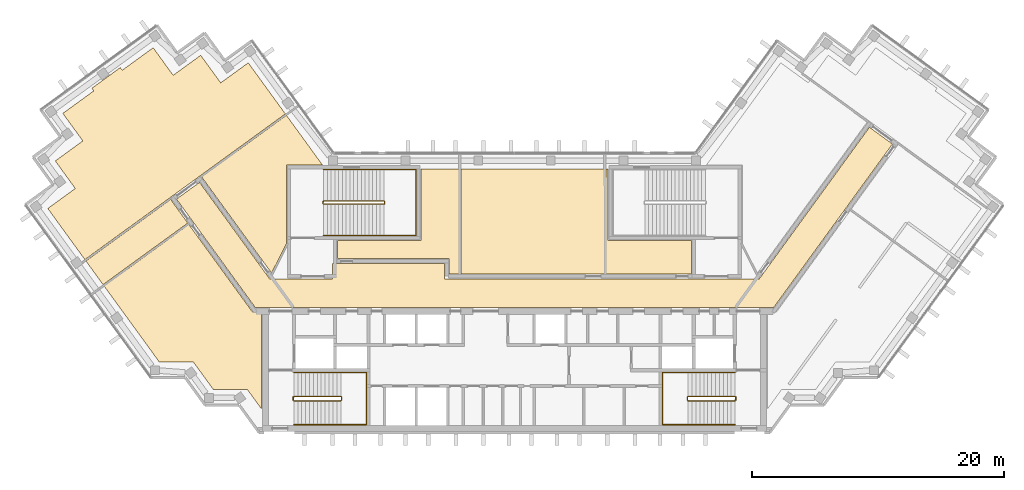
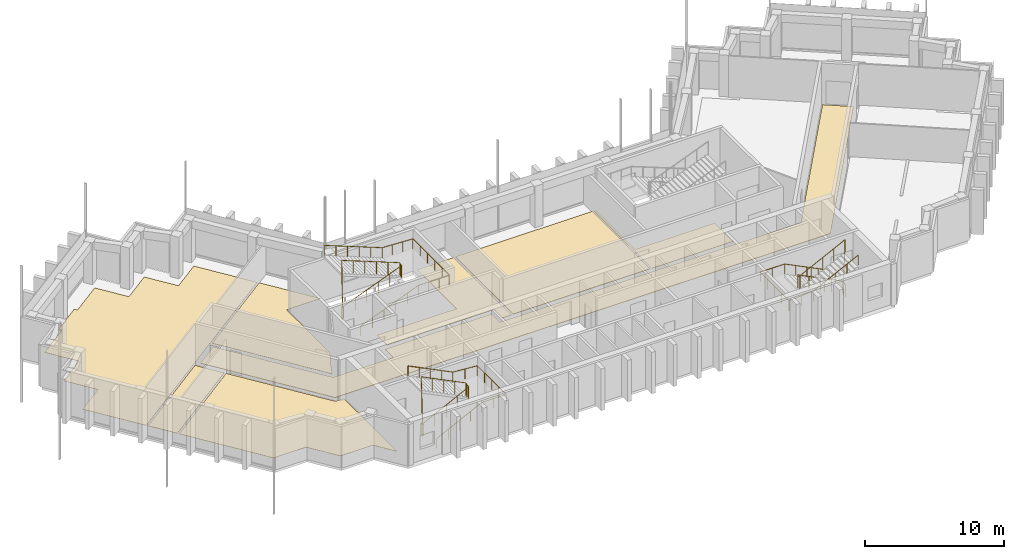
# One storey, part 13 of 14: 8 coverings, 6 railings.
"""IFC4 building model written with IfcOpenShell, lengths in metres."""

from ifc_helpers import new_model, si_unit, direction, frame, origin, origin_2d, place, context, subcontext, project, spatial, polyline, circle, outline, extrude, material, layer, layer_set, type_object, element, save


model = new_model("IFC4")

# Units and contexts
model_context = context("Model", 3, precision=1e-05, world=origin(), true_north=direction((0.0, 1.0)))
body_context = subcontext(model_context, "Body", "Model", "MODEL_VIEW")
ifc_project = project(units=[si_unit("LENGTHUNIT", "METRE"), si_unit("AREAUNIT", "SQUARE_METRE"), si_unit("VOLUMEUNIT", "CUBIC_METRE"), si_unit("PLANEANGLEUNIT", "RADIAN"), si_unit("MASSUNIT", "GRAM", prefix="KILO")], contexts=[model_context])

# Site, building, storey
site_placement = place(None, origin())
site = spatial("IfcSite", under=ifc_project, at=site_placement, CompositionType="ELEMENT")
building_placement = place(site_placement, origin())
building = spatial("IfcBuilding", under=site, at=building_placement, Name="Quipu Civic Tower", CompositionType="ELEMENT")
storey_placement = place(building_placement, frame((0.0, 0.0, 323.0)))
storey = spatial("IfcBuildingStorey", under=building, at=storey_placement, Name="L75", CompositionType="ELEMENT", Elevation=323.0)

# Coverings
ifc_material_1 = material(Name="Carpet tile on raised access floor")
ifc_layer_1 = layer(ifc_material_1, 0.02001953125)
ifc_layer_set_1 = layer_set([ifc_layer_1], Name="Carpet tile on raised access floor")
covering_type_1 = type_object("IfcCoveringType", Name="Carpet tile floor finish 20", PredefinedType="FLOORING", material=ifc_layer_set_1)
covering_1_placement = place(storey_placement, origin())
element("IfcCovering", 1, at=covering_1_placement, inside=storey, type_object=covering_type_1, Name="Carpet tile floor finish 20", PredefinedType="FLOORING", context=body_context, shape_type="SweptSolid", body=[
    extrude(outline(polyline([(-14.030029296875, 2.719970703125), (-14.030029296875, 4.179931640625), (-7.430908203125, 4.179931640625), (-7.429931640625, 9.830078125), (-4.388916015625, 9.830078125), (-4.388916015625, 1.52001953125), (-5.179931640625, 1.52001953125), (-5.181884765625, 2.719970703125), (-14.030029296875, 2.719970703125)])), origin(), (0.0, 0.0, 1.0), 0.02001953125),
])
covering_2_placement = place(storey_placement, origin())
element("IfcCovering", 2, at=covering_2_placement, inside=storey, type_object=covering_type_1, Name="Carpet tile floor finish 20", PredefinedType="FLOORING", context=body_context, shape_type="SweptSolid", body=[
    extrude(outline(polyline([(-24.81201171875, 9.2109375), (-18.089111328125, 14.093994140625), (-15.238037109375, 10.169921875), (-18.070068359375, 10.1689453125), (-18.070068359375, 3.94189453125), (-19.27197265625, 1.583984375), (-24.81201171875, 9.2109375)])), origin(), (0.0, 0.0, 1.0), 0.02001953125),
])
covering_3_placement = place(storey_placement, origin())
element("IfcCovering", 3, at=covering_3_placement, inside=storey, type_object=covering_type_1, Name="Carpet tile floor finish 20", PredefinedType="FLOORING", context=body_context, shape_type="SweptSolid", body=[
    extrude(outline(polyline([(-32.552001953125, 0.552978515625), (-25.8291015625, 5.43701171875), (-20.77490234375, -1.51904296875), (-20.070068359375, -1.52001953125), (-20.070068359375, -9.195068359375), (-21.196044921875, -7.64599609375), (-23.89501953125, -7.64599609375), (-25.48193359375, -5.4619140625), (-28.181884765625, -5.4609375), (-32.552001953125, 0.552978515625)])), origin(), (0.0, 0.0, 1.0), 0.02001953125),
])
covering_4_placement = place(storey_placement, origin())
element("IfcCovering", 4, at=covering_4_placement, inside=storey, type_object=covering_type_1, Name="Carpet tile floor finish 20", PredefinedType="FLOORING", context=body_context, shape_type="SweptSolid", body=[
    extrude(outline(polyline([(-37.02197265625, 6.7060546875), (-34.839111328125, 8.291015625), (-36.425048828125, 10.47607421875), (-34.240966796875, 12.06396484375), (-35.826904296875, 14.248046875), (-33.3701171875, 16.032958984375), (-33.52197265625, 16.2451171875), (-31.27099609375, 17.8798828125), (-31.116943359375, 17.6708984375), (-28.658935546875, 19.455078125), (-27.073974609375, 17.27197265625), (-24.887939453125, 18.85791015625), (-23.301025390625, 16.675048828125), (-21.116943359375, 18.260986328125), (-18.172119140625, 14.20703125), (-34.077880859375, 2.652099609375), (-37.02197265625, 6.7060546875)])), origin(), (0.0, 0.0, 1.0), 0.02001953125),
])
ifc_material_2 = material(Name="Ceramic floor tile")
ifc_layer_2 = layer(ifc_material_2, 0.030029296875)
ifc_layer_set_2 = layer_set([ifc_layer_2], Name="Ceramic floor tile")
covering_type_2 = type_object("IfcCoveringType", Name="Ceramic tile floor finish 30", PredefinedType="FLOORING", material=ifc_layer_set_2)
covering_5_placement = place(storey_placement, origin())
element("IfcCovering", 5, at=covering_5_placement, inside=storey, type_object=covering_type_2, Name="Ceramic tile floor finish 30", PredefinedType="FLOORING", context=body_context, shape_type="SweptSolid", body=[
    extrude(outline(polyline([(7.26806640625, 1.52001953125), (7.26806640625, 9.830078125), (7.429931640625, 9.830078125), (7.429931640625, 4.180908203125), (14.030029296875, 4.179931640625), (14.030029296875, 1.52001953125), (7.26806640625, 1.52001953125)])), origin(), (0.0, 0.0, 1.0), 0.030029296875),
])
covering_6_placement = place(storey_placement, origin())
element("IfcCovering", 6, at=covering_6_placement, inside=storey, type_object=covering_type_2, Name="Ceramic tile floor finish 30", PredefinedType="FLOORING", context=body_context, shape_type="SweptSolid", body=[
    extrude(outline(polyline([(-33.9951171875, 2.5390625), (-27.27197265625, 7.423095703125), (-25.912109375, 5.550048828125), (-32.635009765625, 0.666015625), (-33.9951171875, 2.5390625)])), origin(), (0.0, 0.0, 1.0), 0.030029296875),
])
ifc_material_3 = material(Name="Sealed cement screed")
ifc_layer_3 = layer(ifc_material_3, 0.050048828125)
ifc_layer_set_3 = layer_set([ifc_layer_3], Name="Sealed cement screed")
covering_type_3 = type_object("IfcCoveringType", Name="Sealed screed floor finish 50", PredefinedType="FLOORING", material=ifc_layer_set_3)
covering_7_placement = place(storey_placement, origin())
element("IfcCovering", 7, at=covering_7_placement, inside=storey, type_object=covering_type_3, Name="Sealed screed floor finish 50", PredefinedType="FLOORING", context=body_context, shape_type="SweptSolid", body=[
    extrude(outline(polyline([(-4.2490234375, 1.52001953125), (-4.2490234375, 9.830078125), (7.1279296875, 9.830078125), (7.1279296875, 1.52001953125), (-4.2490234375, 1.52001953125)])), origin(), (0.0, 0.0, 1.0), 0.050048828125),
])

# Railings
ifc_material_4 = material(Name="Stainless steel", Category="steel")
railing_type_1 = type_object("IfcRailingType", Name="Stair guard 1100", PredefinedType="GUARDRAIL", material=ifc_material_4)
railing_1_placement = place(storey_placement, frame((-17.5, -8.550048828125, 0.15380859375)))
element("IfcRailing", 8, at=railing_1_placement, inside=storey, type_object=railing_type_1, Name="Stair 1 guard", PredefinedType="GUARDRAIL", context=body_context, shape_type="SweptSolid", body=[
    extrude(circle(Radius=0.02392578125, at=origin_2d()), frame((0.0, 0.0, 1.076171875), z_axis=(0.895751851347, 0.0, 0.444554407028), x_axis=(0.0, 1.0, 0.0)), (0.0, 0.0, 1.0), 4.15283203125),
    extrude(circle(Radius=0.02392578125, at=origin_2d()), frame((3.719970703125, 0.0, 2.92236328125), z_axis=(0.707106781187, 0.707106781187, 0.0), x_axis=(-0.707106781187, 0.707106781187, 0.0)), (0.0, 0.0, 1.0), 0.07080078125),
    extrude(circle(Radius=0.02392578125, at=origin_2d()), frame((3.77001953125, 0.050048828125, 2.92236328125), z_axis=(0.0, 1.0, 0.0), x_axis=(-1.0, 0.0, 0.0)), (0.0, 0.0, 1.0), 0.25),
    extrude(circle(Radius=0.02392578125, at=origin_2d()), frame((3.77001953125, 0.300048828125, 2.92236328125), z_axis=(-0.295599637079, 0.295599637079, 0.908428152975), x_axis=(-0.707106781187, -0.707106781187, 0.0)), (0.0, 0.0, 1.0), 0.16943359375),
    extrude(circle(Radius=0.02392578125, at=origin_2d()), frame((3.719970703125, 0.35009765625, 3.076171875), z_axis=(-0.895751851347, 0.0, 0.444554407028), x_axis=(0.0, -1.0, 0.0)), (0.0, 0.0, 1.0), 4.15283203125),
    extrude(circle(Radius=0.02392578125, at=origin_2d()), frame((0.0, 0.35009765625, 4.92236328125), z_axis=(-0.012476181752, -0.074796231092, -0.997120789425), x_axis=(0.986372223864, -0.164529134168, 0.0)), (0.0, 0.0, 1.0), 4.011474609375),
    extrude(circle(Radius=0.02392578125, at=origin_2d()), frame((-0.050048828125, 0.050048828125, 0.92236328125), z_axis=(0.0, 1.0, 0.0), x_axis=(-1.0, 0.0, 0.0)), (0.0, 0.0, 1.0), 0.25),
    extrude(circle(Radius=0.02099609375, at=origin_2d()), origin(), (0.0, 0.0, 1.0), 1.052001953125),
    extrude(circle(Radius=0.02099609375, at=origin_2d()), frame((0.929931640625, 0.0, 0.46142578125)), (0.0, 0.0, 1.0), 1.052001953125),
    extrude(circle(Radius=0.02099609375, at=origin_2d()), frame((1.85986328125, 0.0, 0.923095703125)), (0.0, 0.0, 1.0), 1.052001953125),
    extrude(circle(Radius=0.02099609375, at=origin_2d()), frame((2.7900390625, 0.0, 1.384765625)), (0.0, 0.0, 1.0), 1.052001953125),
    extrude(circle(Radius=0.02099609375, at=origin_2d()), frame((3.719970703125, 0.0, 1.84619140625)), (0.0, 0.0, 1.0), 1.052001953125),
    extrude(circle(Radius=0.02099609375, at=origin_2d()), frame((3.77001953125, 0.050048828125, 1.84619140625)), (0.0, 0.0, 1.0), 1.052001953125),
    extrude(circle(Radius=0.02099609375, at=origin_2d()), frame((3.77001953125, 0.300048828125, 1.84619140625)), (0.0, 0.0, 1.0), 1.052001953125),
    extrude(circle(Radius=0.02099609375, at=origin_2d()), frame((3.719970703125, 0.35009765625, 2.0)), (0.0, 0.0, 1.0), 1.052001953125),
    extrude(circle(Radius=0.02099609375, at=origin_2d()), frame((2.7900390625, 0.35009765625, 2.46142578125)), (0.0, 0.0, 1.0), 1.052001953125),
    extrude(circle(Radius=0.02099609375, at=origin_2d()), frame((1.85986328125, 0.35009765625, 2.923095703125)), (0.0, 0.0, 1.0), 1.052001953125),
    extrude(circle(Radius=0.02099609375, at=origin_2d()), frame((0.929931640625, 0.35009765625, 3.384765625)), (0.0, 0.0, 1.0), 1.052001953125),
    extrude(circle(Radius=0.02099609375, at=origin_2d()), frame((0.0, 0.35009765625, 3.84619140625)), (0.0, 0.0, 1.0), 1.052001953125),
    extrude(circle(Radius=0.02099609375, at=origin_2d()), frame((-0.012451171875, 0.275146484375, 2.84619140625)), (0.0, 0.0, 1.0), 1.052001953125),
    extrude(circle(Radius=0.02099609375, at=origin_2d()), frame((-0.02490234375, 0.2001953125, 1.84619140625)), (0.0, 0.0, 1.0), 1.052001953125),
    extrude(circle(Radius=0.02099609375, at=origin_2d()), frame((-0.03759765625, 0.125, 0.84619140625)), (0.0, 0.0, 1.0), 1.052001953125),
    extrude(circle(Radius=0.02099609375, at=origin_2d()), frame((-0.050048828125, 0.050048828125, -0.15380859375)), (0.0, 0.0, 1.0), 1.052001953125),
    extrude(circle(Radius=0.02099609375, at=origin_2d()), frame((-0.050048828125, 0.300048828125, -0.15380859375)), (0.0, 0.0, 1.0), 1.052001953125),
])
railing_2_placement = place(storey_placement, frame((17.5, -8.199951171875, 0.15380859375)))
element("IfcRailing", 9, at=railing_2_placement, inside=storey, type_object=railing_type_1, Name="Stair 2 guard", PredefinedType="GUARDRAIL", context=body_context, shape_type="SweptSolid", body=[
    extrude(circle(Radius=0.02392578125, at=origin_2d()), frame((0.0, 0.0, 1.076171875), z_axis=(-0.895751851347, 0.0, 0.444554407028), x_axis=(0.0, -1.0, 0.0)), (0.0, 0.0, 1.0), 4.15283203125),
    extrude(circle(Radius=0.02392578125, at=origin_2d()), frame((-3.719970703125, 0.0, 2.92236328125), z_axis=(-0.707106781187, -0.707106781187, 0.0), x_axis=(0.707106781187, -0.707106781187, 0.0)), (0.0, 0.0, 1.0), 0.07080078125),
    extrude(circle(Radius=0.02392578125, at=origin_2d()), frame((-3.77001953125, -0.050048828125, 2.92236328125), z_axis=(0.0, -1.0, 0.0), x_axis=(1.0, 0.0, 0.0)), (0.0, 0.0, 1.0), 0.25),
    extrude(circle(Radius=0.02392578125, at=origin_2d()), frame((-3.77001953125, -0.300048828125, 2.92236328125), z_axis=(0.295599637079, -0.295599637079, 0.908428152975), x_axis=(0.707106781187, 0.707106781187, 0.0)), (0.0, 0.0, 1.0), 0.16943359375),
    extrude(circle(Radius=0.02392578125, at=origin_2d()), frame((-3.719970703125, -0.35009765625, 3.076171875), z_axis=(0.895751851347, 0.0, 0.444554407028), x_axis=(0.0, 1.0, 0.0)), (0.0, 0.0, 1.0), 4.15283203125),
    extrude(circle(Radius=0.02392578125, at=origin_2d()), frame((0.0, -0.35009765625, 4.92236328125), z_axis=(0.012476181752, 0.074796231092, -0.997120789425), x_axis=(-0.986372223864, 0.164529134168, 0.0)), (0.0, 0.0, 1.0), 4.011474609375),
    extrude(circle(Radius=0.02392578125, at=origin_2d()), frame((0.050048828125, -0.050048828125, 0.92236328125), z_axis=(0.0, -1.0, 0.0), x_axis=(1.0, 0.0, 0.0)), (0.0, 0.0, 1.0), 0.25),
    extrude(circle(Radius=0.02099609375, at=origin_2d()), origin(), (0.0, 0.0, 1.0), 1.052001953125),
    extrude(circle(Radius=0.02099609375, at=origin_2d()), frame((-0.929931640625, 0.0, 0.46142578125)), (0.0, 0.0, 1.0), 1.052001953125),
    extrude(circle(Radius=0.02099609375, at=origin_2d()), frame((-1.85986328125, 0.0, 0.923095703125)), (0.0, 0.0, 1.0), 1.052001953125),
    extrude(circle(Radius=0.02099609375, at=origin_2d()), frame((-2.7900390625, 0.0, 1.384765625)), (0.0, 0.0, 1.0), 1.052001953125),
    extrude(circle(Radius=0.02099609375, at=origin_2d()), frame((-3.719970703125, 0.0, 1.84619140625)), (0.0, 0.0, 1.0), 1.052001953125),
    extrude(circle(Radius=0.02099609375, at=origin_2d()), frame((-3.77001953125, -0.050048828125, 1.84619140625)), (0.0, 0.0, 1.0), 1.052001953125),
    extrude(circle(Radius=0.02099609375, at=origin_2d()), frame((-3.77001953125, -0.300048828125, 1.84619140625)), (0.0, 0.0, 1.0), 1.052001953125),
    extrude(circle(Radius=0.02099609375, at=origin_2d()), frame((-3.719970703125, -0.35009765625, 2.0)), (0.0, 0.0, 1.0), 1.052001953125),
    extrude(circle(Radius=0.02099609375, at=origin_2d()), frame((-2.7900390625, -0.35009765625, 2.46142578125)), (0.0, 0.0, 1.0), 1.052001953125),
    extrude(circle(Radius=0.02099609375, at=origin_2d()), frame((-1.85986328125, -0.35009765625, 2.923095703125)), (0.0, 0.0, 1.0), 1.052001953125),
    extrude(circle(Radius=0.02099609375, at=origin_2d()), frame((-0.929931640625, -0.35009765625, 3.384765625)), (0.0, 0.0, 1.0), 1.052001953125),
    extrude(circle(Radius=0.02099609375, at=origin_2d()), frame((0.0, -0.35009765625, 3.84619140625)), (0.0, 0.0, 1.0), 1.052001953125),
    extrude(circle(Radius=0.02099609375, at=origin_2d()), frame((0.012451171875, -0.275146484375, 2.84619140625)), (0.0, 0.0, 1.0), 1.052001953125),
    extrude(circle(Radius=0.02099609375, at=origin_2d()), frame((0.02490234375, -0.2001953125, 1.84619140625)), (0.0, 0.0, 1.0), 1.052001953125),
    extrude(circle(Radius=0.02099609375, at=origin_2d()), frame((0.03759765625, -0.125, 0.84619140625)), (0.0, 0.0, 1.0), 1.052001953125),
    extrude(circle(Radius=0.02099609375, at=origin_2d()), frame((0.050048828125, -0.050048828125, -0.15380859375)), (0.0, 0.0, 1.0), 1.052001953125),
    extrude(circle(Radius=0.02099609375, at=origin_2d()), frame((0.050048828125, -0.300048828125, -0.15380859375)), (0.0, 0.0, 1.0), 1.052001953125),
])
railing_3_placement = place(storey_placement, frame((-15.14990234375, 7.050048828125, 0.11767578125)))
element("IfcRailing", 10, at=railing_3_placement, inside=storey, type_object=railing_type_1, Name="Stair 3 guard", PredefinedType="GUARDRAIL", context=body_context, shape_type="SweptSolid", body=[
    extrude(circle(Radius=0.02392578125, at=origin_2d()), frame((0.0, 0.0, 1.076171875), z_axis=(0.930970042603, 0.0, 0.365095576219), x_axis=(0.0, 1.0, 0.0)), (0.0, 0.0, 1.0), 5.15576171875),
    extrude(circle(Radius=0.02392578125, at=origin_2d()), frame((4.7998046875, 0.0, 2.95849609375), z_axis=(0.707106781187, 0.707106781187, 0.0), x_axis=(-0.707106781187, 0.707106781187, 0.0)), (0.0, 0.0, 1.0), 0.07080078125),
    extrude(circle(Radius=0.02392578125, at=origin_2d()), frame((4.849853515625, 0.050048828125, 2.95849609375), z_axis=(0.0, 1.0, 0.0), x_axis=(-1.0, 0.0, 0.0)), (0.0, 0.0, 1.0), 0.14990234375),
    extrude(circle(Radius=0.02392578125, at=origin_2d()), frame((4.849853515625, 0.199951171875, 2.95849609375), z_axis=(-0.364463019033, 0.364463019033, 0.856932561824), x_axis=(-0.707106781187, -0.707106781187, 0.0)), (0.0, 0.0, 1.0), 0.13720703125),
    extrude(circle(Radius=0.02392578125, at=origin_2d()), frame((4.7998046875, 0.25, 3.076171875), z_axis=(-0.930970042603, 0.0, 0.365095576219), x_axis=(0.0, -1.0, 0.0)), (0.0, 0.0, 1.0), 5.15576171875),
    extrude(circle(Radius=0.02392578125, at=origin_2d()), frame((0.0, 0.25, 4.95849609375), z_axis=(-0.012495627992, -0.049921557685, -0.998674970829), x_axis=(0.970072785993, -0.242814311512, 0.0)), (0.0, 0.0, 1.0), 4.00537109375),
    extrude(circle(Radius=0.02392578125, at=origin_2d()), frame((-0.050048828125, 0.050048828125, 0.95849609375), z_axis=(0.0, 1.0, 0.0), x_axis=(-1.0, 0.0, 0.0)), (0.0, 0.0, 1.0), 0.14990234375),
    extrude(circle(Radius=0.02099609375, at=origin_2d()), origin(), (0.0, 0.0, 1.0), 1.052001953125),
    extrude(circle(Radius=0.02099609375, at=origin_2d()), frame((0.9599609375, 0.0, 0.37646484375)), (0.0, 0.0, 1.0), 1.052001953125),
    extrude(circle(Radius=0.02099609375, at=origin_2d()), frame((1.919921875, 0.0, 0.7529296875)), (0.0, 0.0, 1.0), 1.052001953125),
    extrude(circle(Radius=0.02099609375, at=origin_2d()), frame((2.8798828125, 0.0, 1.12939453125)), (0.0, 0.0, 1.0), 1.052001953125),
    extrude(circle(Radius=0.02099609375, at=origin_2d()), frame((3.83984375, 0.0, 1.505859375)), (0.0, 0.0, 1.0), 1.052001953125),
    extrude(circle(Radius=0.02099609375, at=origin_2d()), frame((4.7998046875, 0.0, 1.88232421875)), (0.0, 0.0, 1.0), 1.052001953125),
    extrude(circle(Radius=0.02099609375, at=origin_2d()), frame((4.849853515625, 0.050048828125, 1.88232421875)), (0.0, 0.0, 1.0), 1.052001953125),
    extrude(circle(Radius=0.02099609375, at=origin_2d()), frame((4.849853515625, 0.199951171875, 1.88232421875)), (0.0, 0.0, 1.0), 1.052001953125),
    extrude(circle(Radius=0.02099609375, at=origin_2d()), frame((4.7998046875, 0.25, 2.0)), (0.0, 0.0, 1.0), 1.052001953125),
    extrude(circle(Radius=0.02099609375, at=origin_2d()), frame((3.83984375, 0.25, 2.37646484375)), (0.0, 0.0, 1.0), 1.052001953125),
    extrude(circle(Radius=0.02099609375, at=origin_2d()), frame((2.8798828125, 0.25, 2.7529296875)), (0.0, 0.0, 1.0), 1.052001953125),
    extrude(circle(Radius=0.02099609375, at=origin_2d()), frame((1.919921875, 0.25, 3.12939453125)), (0.0, 0.0, 1.0), 1.052001953125),
    extrude(circle(Radius=0.02099609375, at=origin_2d()), frame((0.9599609375, 0.25, 3.505859375)), (0.0, 0.0, 1.0), 1.052001953125),
    extrude(circle(Radius=0.02099609375, at=origin_2d()), frame((0.0, 0.25, 3.88232421875)), (0.0, 0.0, 1.0), 1.052001953125),
    extrude(circle(Radius=0.02099609375, at=origin_2d()), frame((-0.012451171875, 0.199951171875, 2.88232421875)), (0.0, 0.0, 1.0), 1.052001953125),
    extrude(circle(Radius=0.02099609375, at=origin_2d()), frame((-0.02490234375, 0.14990234375, 1.88232421875)), (0.0, 0.0, 1.0), 1.052001953125),
    extrude(circle(Radius=0.02099609375, at=origin_2d()), frame((-0.03759765625, 0.10009765625, 0.88232421875)), (0.0, 0.0, 1.0), 1.052001953125),
    extrude(circle(Radius=0.02099609375, at=origin_2d()), frame((-0.050048828125, 0.050048828125, -0.11767578125)), (0.0, 0.0, 1.0), 1.052001953125),
    extrude(circle(Radius=0.02099609375, at=origin_2d()), frame((-0.050048828125, 0.199951171875, -0.11767578125)), (0.0, 0.0, 1.0), 1.052001953125),
])
ifc_material_5 = material(Name="Stainless steel", Category="steel")
railing_type_2 = type_object("IfcRailingType", Name="Stair handrail", PredefinedType="HANDRAIL", material=ifc_material_5)
railing_4_placement = place(storey_placement, frame((-17.5, -10.449951171875, 0.15380859375)))
element("IfcRailing", 11, at=railing_4_placement, inside=storey, type_object=railing_type_2, Name="Stair 1 handrail", PredefinedType="HANDRAIL", context=body_context, shape_type="SweptSolid", body=[
    extrude(circle(Radius=0.02392578125, at=origin_2d()), frame((0.0, 0.0, 0.8759765625), z_axis=(0.895751851347, 0.0, 0.444554407028), x_axis=(0.0, 1.0, 0.0)), (0.0, 0.0, 1.0), 4.15283203125),
    extrude(circle(Radius=0.02392578125, at=origin_2d()), frame((3.719970703125, 0.0, 2.72216796875), z_axis=(1.0, 0.0, 0.0), x_axis=(0.0, 1.0, 0.0)), (0.0, 0.0, 1.0), 2.030029296875),
    extrude(circle(Radius=0.02392578125, at=origin_2d()), frame((5.75, 0.0, 2.72216796875), z_axis=(0.0, 1.0, 0.0), x_axis=(-1.0, 0.0, 0.0)), (0.0, 0.0, 1.0), 4.14990234375),
    extrude(circle(Radius=0.02392578125, at=origin_2d()), frame((5.75, 4.14990234375, 2.72216796875), z_axis=(-0.997142003663, 0.0, 0.075550145798), x_axis=(0.0, -1.0, 0.0)), (0.0, 0.0, 1.0), 2.035888671875),
    extrude(circle(Radius=0.02392578125, at=origin_2d()), frame((3.719970703125, 4.14990234375, 2.8759765625), z_axis=(-0.895751851347, 0.0, 0.444554407028), x_axis=(0.0, -1.0, 0.0)), (0.0, 0.0, 1.0), 4.15283203125),
    extrude(circle(Radius=0.02099609375, at=origin_2d()), origin(), (0.0, 0.0, 1.0), 0.851806640625),
    extrude(circle(Radius=0.02099609375, at=origin_2d()), frame((0.929931640625, 0.0, 0.46142578125)), (0.0, 0.0, 1.0), 0.851806640625),
    extrude(circle(Radius=0.02099609375, at=origin_2d()), frame((1.85986328125, 0.0, 0.923095703125)), (0.0, 0.0, 1.0), 0.851806640625),
    extrude(circle(Radius=0.02099609375, at=origin_2d()), frame((2.7900390625, 0.0, 1.384765625)), (0.0, 0.0, 1.0), 0.851806640625),
    extrude(circle(Radius=0.02099609375, at=origin_2d()), frame((3.719970703125, 0.0, 1.84619140625)), (0.0, 0.0, 1.0), 0.851806640625),
    extrude(circle(Radius=0.02099609375, at=origin_2d()), frame((4.73486328125, 0.0, 1.84619140625)), (0.0, 0.0, 1.0), 0.851806640625),
    extrude(circle(Radius=0.02099609375, at=origin_2d()), frame((5.75, 0.0, 1.84619140625)), (0.0, 0.0, 1.0), 0.851806640625),
    extrude(circle(Radius=0.02099609375, at=origin_2d()), frame((5.75, 1.03759765625, 1.84619140625)), (0.0, 0.0, 1.0), 0.851806640625),
    extrude(circle(Radius=0.02099609375, at=origin_2d()), frame((5.75, 2.074951171875, 1.84619140625)), (0.0, 0.0, 1.0), 0.851806640625),
    extrude(circle(Radius=0.02099609375, at=origin_2d()), frame((5.75, 3.1123046875, 1.84619140625)), (0.0, 0.0, 1.0), 0.851806640625),
    extrude(circle(Radius=0.02099609375, at=origin_2d()), frame((5.75, 4.14990234375, 1.84619140625)), (0.0, 0.0, 1.0), 0.851806640625),
    extrude(circle(Radius=0.02099609375, at=origin_2d()), frame((4.73486328125, 4.14990234375, 1.923095703125)), (0.0, 0.0, 1.0), 0.851806640625),
    extrude(circle(Radius=0.02099609375, at=origin_2d()), frame((3.719970703125, 4.14990234375, 2.0)), (0.0, 0.0, 1.0), 0.851806640625),
    extrude(circle(Radius=0.02099609375, at=origin_2d()), frame((2.7900390625, 4.14990234375, 2.46142578125)), (0.0, 0.0, 1.0), 0.851806640625),
    extrude(circle(Radius=0.02099609375, at=origin_2d()), frame((1.85986328125, 4.14990234375, 2.923095703125)), (0.0, 0.0, 1.0), 0.851806640625),
    extrude(circle(Radius=0.02099609375, at=origin_2d()), frame((0.929931640625, 4.14990234375, 3.384765625)), (0.0, 0.0, 1.0), 0.851806640625),
    extrude(circle(Radius=0.02099609375, at=origin_2d()), frame((0.0, 4.14990234375, 3.84619140625)), (0.0, 0.0, 1.0), 0.851806640625),
])
railing_5_placement = place(storey_placement, frame((17.5, -6.300048828125, 0.15380859375)))
element("IfcRailing", 12, at=railing_5_placement, inside=storey, type_object=railing_type_2, Name="Stair 2 handrail", PredefinedType="HANDRAIL", context=body_context, shape_type="SweptSolid", body=[
    extrude(circle(Radius=0.02392578125, at=origin_2d()), frame((0.0, 0.0, 0.8759765625), z_axis=(-0.895751851347, 0.0, 0.444554407028), x_axis=(0.0, -1.0, 0.0)), (0.0, 0.0, 1.0), 4.15283203125),
    extrude(circle(Radius=0.02392578125, at=origin_2d()), frame((-3.719970703125, 0.0, 2.72216796875), z_axis=(-1.0, 0.0, 0.0), x_axis=(0.0, -1.0, 0.0)), (0.0, 0.0, 1.0), 2.030029296875),
    extrude(circle(Radius=0.02392578125, at=origin_2d()), frame((-5.75, 0.0, 2.72216796875), z_axis=(0.0, -1.0, 0.0), x_axis=(1.0, 0.0, 0.0)), (0.0, 0.0, 1.0), 4.14990234375),
    extrude(circle(Radius=0.02392578125, at=origin_2d()), frame((-5.75, -4.14990234375, 2.72216796875), z_axis=(0.997142003663, 0.0, 0.075550145798), x_axis=(0.0, 1.0, 0.0)), (0.0, 0.0, 1.0), 2.035888671875),
    extrude(circle(Radius=0.02392578125, at=origin_2d()), frame((-3.719970703125, -4.14990234375, 2.8759765625), z_axis=(0.895751851347, 0.0, 0.444554407028), x_axis=(0.0, 1.0, 0.0)), (0.0, 0.0, 1.0), 4.15283203125),
    extrude(circle(Radius=0.02099609375, at=origin_2d()), origin(), (0.0, 0.0, 1.0), 0.851806640625),
    extrude(circle(Radius=0.02099609375, at=origin_2d()), frame((-0.929931640625, 0.0, 0.46142578125)), (0.0, 0.0, 1.0), 0.851806640625),
    extrude(circle(Radius=0.02099609375, at=origin_2d()), frame((-1.85986328125, 0.0, 0.923095703125)), (0.0, 0.0, 1.0), 0.851806640625),
    extrude(circle(Radius=0.02099609375, at=origin_2d()), frame((-2.7900390625, 0.0, 1.384765625)), (0.0, 0.0, 1.0), 0.851806640625),
    extrude(circle(Radius=0.02099609375, at=origin_2d()), frame((-3.719970703125, 0.0, 1.84619140625)), (0.0, 0.0, 1.0), 0.851806640625),
    extrude(circle(Radius=0.02099609375, at=origin_2d()), frame((-4.73486328125, 0.0, 1.84619140625)), (0.0, 0.0, 1.0), 0.851806640625),
    extrude(circle(Radius=0.02099609375, at=origin_2d()), frame((-5.75, 0.0, 1.84619140625)), (0.0, 0.0, 1.0), 0.851806640625),
    extrude(circle(Radius=0.02099609375, at=origin_2d()), frame((-5.75, -1.03759765625, 1.84619140625)), (0.0, 0.0, 1.0), 0.851806640625),
    extrude(circle(Radius=0.02099609375, at=origin_2d()), frame((-5.75, -2.074951171875, 1.84619140625)), (0.0, 0.0, 1.0), 0.851806640625),
    extrude(circle(Radius=0.02099609375, at=origin_2d()), frame((-5.75, -3.1123046875, 1.84619140625)), (0.0, 0.0, 1.0), 0.851806640625),
    extrude(circle(Radius=0.02099609375, at=origin_2d()), frame((-5.75, -4.14990234375, 1.84619140625)), (0.0, 0.0, 1.0), 0.851806640625),
    extrude(circle(Radius=0.02099609375, at=origin_2d()), frame((-4.73486328125, -4.14990234375, 1.923095703125)), (0.0, 0.0, 1.0), 0.851806640625),
    extrude(circle(Radius=0.02099609375, at=origin_2d()), frame((-3.719970703125, -4.14990234375, 2.0)), (0.0, 0.0, 1.0), 0.851806640625),
    extrude(circle(Radius=0.02099609375, at=origin_2d()), frame((-2.7900390625, -4.14990234375, 2.46142578125)), (0.0, 0.0, 1.0), 0.851806640625),
    extrude(circle(Radius=0.02099609375, at=origin_2d()), frame((-1.85986328125, -4.14990234375, 2.923095703125)), (0.0, 0.0, 1.0), 0.851806640625),
    extrude(circle(Radius=0.02099609375, at=origin_2d()), frame((-0.929931640625, -4.14990234375, 3.384765625)), (0.0, 0.0, 1.0), 0.851806640625),
    extrude(circle(Radius=0.02099609375, at=origin_2d()), frame((0.0, -4.14990234375, 3.84619140625)), (0.0, 0.0, 1.0), 0.851806640625),
])
railing_6_placement = place(storey_placement, frame((-15.14990234375, 4.550048828125, 0.11767578125)))
element("IfcRailing", 13, at=railing_6_placement, inside=storey, type_object=railing_type_2, Name="Stair 3 handrail", PredefinedType="HANDRAIL", context=body_context, shape_type="SweptSolid", body=[
    extrude(circle(Radius=0.02392578125, at=origin_2d()), frame((0.0, 0.0, 0.8759765625), z_axis=(0.930970042603, 0.0, 0.365095576219), x_axis=(0.0, 1.0, 0.0)), (0.0, 0.0, 1.0), 5.15576171875),
    extrude(circle(Radius=0.02392578125, at=origin_2d()), frame((4.7998046875, 0.0, 2.75830078125), z_axis=(1.0, 0.0, 0.0), x_axis=(0.0, 1.0, 0.0)), (0.0, 0.0, 1.0), 2.550048828125),
    extrude(circle(Radius=0.02392578125, at=origin_2d()), frame((7.349853515625, 0.0, 2.75830078125), z_axis=(0.0, 1.0, 0.0), x_axis=(-1.0, 0.0, 0.0)), (0.0, 0.0, 1.0), 5.25),
    extrude(circle(Radius=0.02392578125, at=origin_2d()), frame((7.349853515625, 5.25, 2.75830078125), z_axis=(-0.998936948642, 0.0, 0.04609742549), x_axis=(0.0, -1.0, 0.0)), (0.0, 0.0, 1.0), 2.552734375),
    extrude(circle(Radius=0.02392578125, at=origin_2d()), frame((4.7998046875, 5.25, 2.8759765625), z_axis=(-0.930970042603, 0.0, 0.365095576219), x_axis=(0.0, -1.0, 0.0)), (0.0, 0.0, 1.0), 5.15576171875),
    extrude(circle(Radius=0.02099609375, at=origin_2d()), origin(), (0.0, 0.0, 1.0), 0.851806640625),
    extrude(circle(Radius=0.02099609375, at=origin_2d()), frame((0.9599609375, 0.0, 0.37646484375)), (0.0, 0.0, 1.0), 0.851806640625),
    extrude(circle(Radius=0.02099609375, at=origin_2d()), frame((1.919921875, 0.0, 0.7529296875)), (0.0, 0.0, 1.0), 0.851806640625),
    extrude(circle(Radius=0.02099609375, at=origin_2d()), frame((2.8798828125, 0.0, 1.12939453125)), (0.0, 0.0, 1.0), 0.851806640625),
    extrude(circle(Radius=0.02099609375, at=origin_2d()), frame((3.83984375, 0.0, 1.505859375)), (0.0, 0.0, 1.0), 0.851806640625),
    extrude(circle(Radius=0.02099609375, at=origin_2d()), frame((4.7998046875, 0.0, 1.88232421875)), (0.0, 0.0, 1.0), 0.851806640625),
    extrude(circle(Radius=0.02099609375, at=origin_2d()), frame((5.64990234375, 0.0, 1.88232421875)), (0.0, 0.0, 1.0), 0.851806640625),
    extrude(circle(Radius=0.02099609375, at=origin_2d()), frame((6.499755859375, 0.0, 1.88232421875)), (0.0, 0.0, 1.0), 0.851806640625),
    extrude(circle(Radius=0.02099609375, at=origin_2d()), frame((7.349853515625, 0.0, 1.88232421875)), (0.0, 0.0, 1.0), 0.851806640625),
    extrude(circle(Radius=0.02099609375, at=origin_2d()), frame((7.349853515625, 1.050048828125, 1.88232421875)), (0.0, 0.0, 1.0), 0.851806640625),
    extrude(circle(Radius=0.02099609375, at=origin_2d()), frame((7.349853515625, 2.10009765625, 1.88232421875)), (0.0, 0.0, 1.0), 0.851806640625),
    extrude(circle(Radius=0.02099609375, at=origin_2d()), frame((7.349853515625, 3.14990234375, 1.88232421875)), (0.0, 0.0, 1.0), 0.851806640625),
    extrude(circle(Radius=0.02099609375, at=origin_2d()), frame((7.349853515625, 4.199951171875, 1.88232421875)), (0.0, 0.0, 1.0), 0.851806640625),
    extrude(circle(Radius=0.02099609375, at=origin_2d()), frame((7.349853515625, 5.25, 1.88232421875)), (0.0, 0.0, 1.0), 0.851806640625),
    extrude(circle(Radius=0.02099609375, at=origin_2d()), frame((6.499755859375, 5.25, 1.921630859375)), (0.0, 0.0, 1.0), 0.851806640625),
    extrude(circle(Radius=0.02099609375, at=origin_2d()), frame((5.64990234375, 5.25, 1.960693359375)), (0.0, 0.0, 1.0), 0.851806640625),
    extrude(circle(Radius=0.02099609375, at=origin_2d()), frame((4.7998046875, 5.25, 2.0)), (0.0, 0.0, 1.0), 0.851806640625),
    extrude(circle(Radius=0.02099609375, at=origin_2d()), frame((3.83984375, 5.25, 2.37646484375)), (0.0, 0.0, 1.0), 0.851806640625),
    extrude(circle(Radius=0.02099609375, at=origin_2d()), frame((2.8798828125, 5.25, 2.7529296875)), (0.0, 0.0, 1.0), 0.851806640625),
    extrude(circle(Radius=0.02099609375, at=origin_2d()), frame((1.919921875, 5.25, 3.12939453125)), (0.0, 0.0, 1.0), 0.851806640625),
    extrude(circle(Radius=0.02099609375, at=origin_2d()), frame((0.9599609375, 5.25, 3.505859375)), (0.0, 0.0, 1.0), 0.851806640625),
    extrude(circle(Radius=0.02099609375, at=origin_2d()), frame((0.0, 5.25, 3.88232421875)), (0.0, 0.0, 1.0), 0.851806640625),
])

# Covering
ifc_material_6 = material(Name="Terrazzo floor finish")
ifc_layer_4 = layer(ifc_material_6, 0.0400390625)
ifc_layer_set_4 = layer_set([ifc_layer_4], Name="Terrazzo floor finish")
covering_type_4 = type_object("IfcCoveringType", Name="Terrazzo floor finish 40", PredefinedType="FLOORING", material=ifc_layer_set_4)
covering_8_placement = place(storey_placement, origin())
element("IfcCovering", 14, at=covering_8_placement, inside=storey, type_object=covering_type_4, Name="Terrazzo floor finish 40", PredefinedType="FLOORING", context=body_context, shape_type="SweptSolid", body=[
    extrude(outline(polyline([(19.425048828125, 1.1298828125), (28.155029296875, 13.14697265625), (29.98291015625, 11.819091796875), (20.574951171875, -1.1298828125), (-20.574951171875, -1.1298828125), (-26.80908203125, 7.450927734375), (-24.98095703125, 8.778076171875), (-19.425048828125, 1.1298828125), (-14.429931640625, 1.1298828125), (-14.429931640625, 2.330078125), (-5.570068359375, 2.330078125), (-5.570068359375, 1.1298828125), (19.425048828125, 1.1298828125)])), origin(), (0.0, 0.0, 1.0), 0.0400390625),
])

save(model, "model.ifc")
